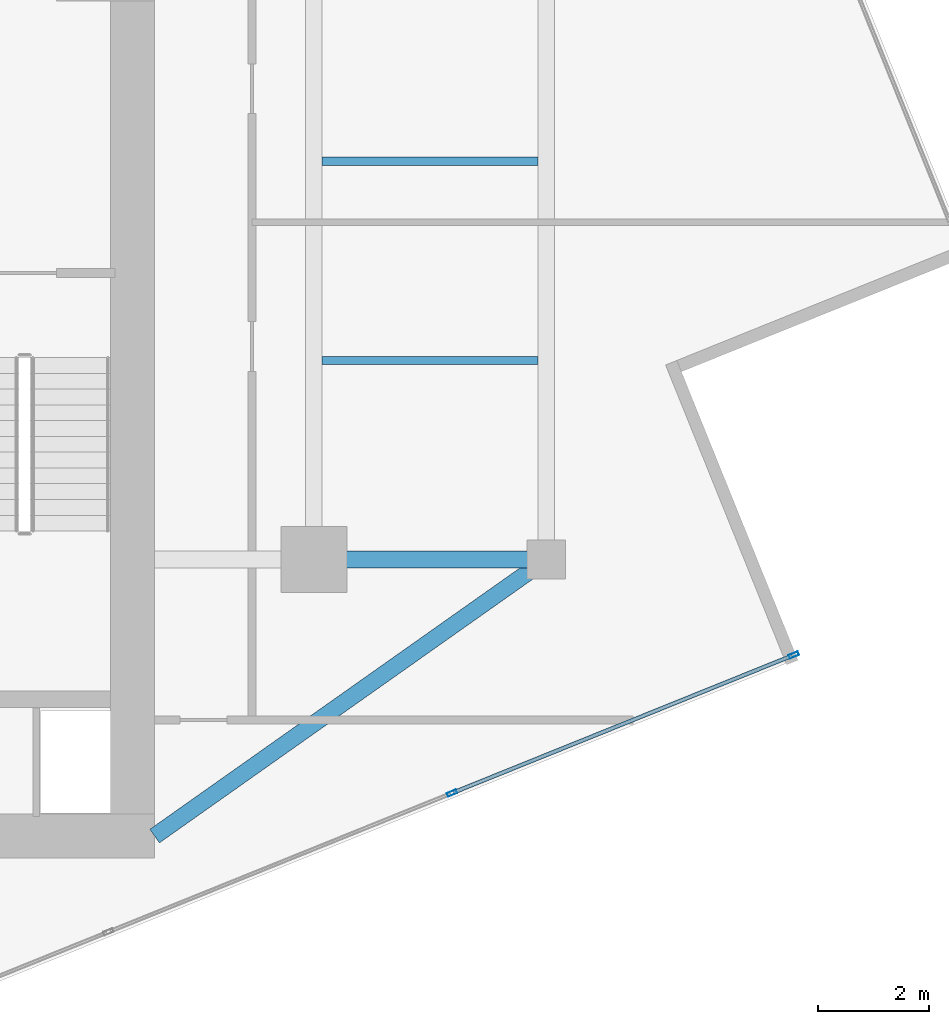
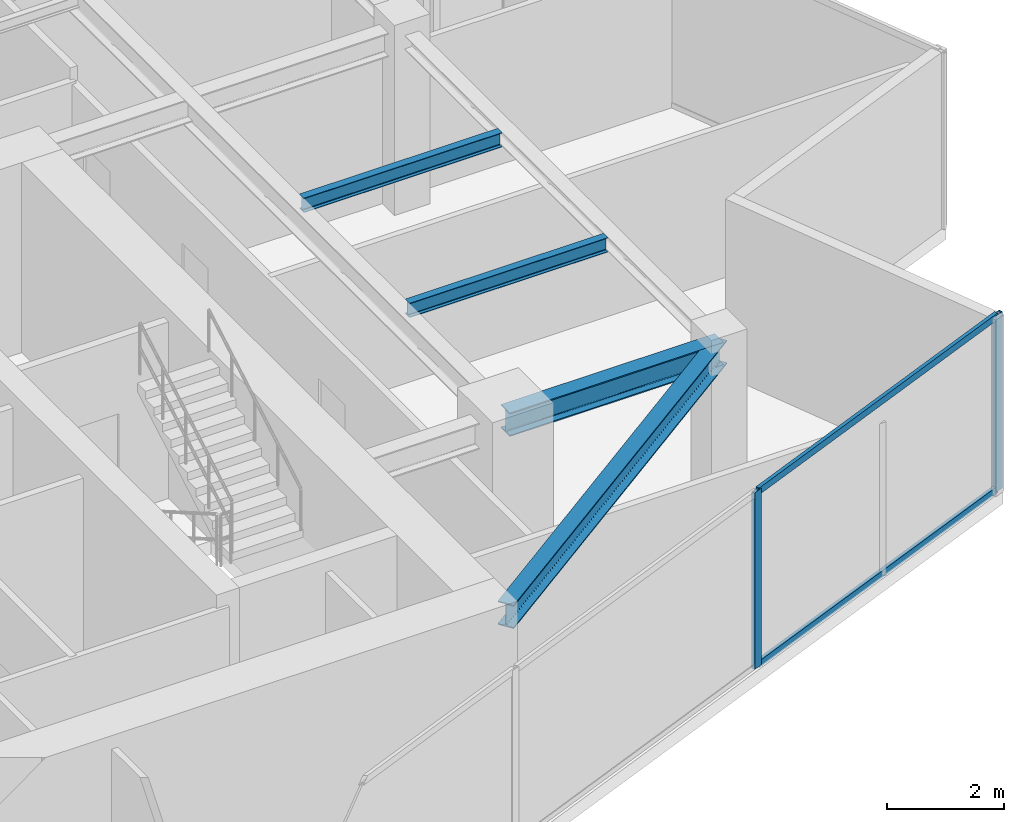
# One storey, part 9 of 21: 4 beams, 4 members, 1 element without a shape of its own.
"""IFC4 building model written with IfcOpenShell, lengths in metres."""

import ifcopenshell
import ifcopenshell.guid

model = None  # the IFC model being written
_history = None  # IfcOwnerHistory: only IFC2X3 demands one
_inside = {}  # id of a spatial element -> (the spatial element, [elements in it])
_under = {}  # id of a project, library or spatial element -> (it, [spatial elements below it])
_declared = {}  # id of a project -> (the project, [libraries it declares])
_typed = {}  # id of a type object -> (the type object, [elements of that type])
_made_of = {}  # id of a material, layer set ... -> (it, [elements and type objects made of it])


def new_model(schema):
    """Start an empty IFC model of exactly this schema.

    Asked for "IFC4X3", IfcOpenShell would pick the latest addendum, in which some entities
    have other attributes; the version numbers below select the first issue.
    IFC2X3 requires an IfcOwnerHistory on every rooted entity: one is made here for all.
    """
    global model, _history
    if schema == "IFC4X3":
        model = ifcopenshell.file(schema_version=(4, 3, 0, 0))
    else:
        model = ifcopenshell.file(schema=schema)
    _inside.clear()
    _under.clear()
    _declared.clear()
    _typed.clear()
    _made_of.clear()
    _history = None
    if model.schema == "IFC2X3":
        org = make("IfcOrganization", Name="unknown")
        user = make(
            "IfcPersonAndOrganization",
            ThePerson=make("IfcPerson", FamilyName="unknown"),
            TheOrganization=org,
        )
        app = make(
            "IfcApplication",
            ApplicationDeveloper=org,
            Version="unknown",
            ApplicationFullName="unknown",
            ApplicationIdentifier="unknown",
        )
        _history = make(
            "IfcOwnerHistory",
            OwningUser=user,
            OwningApplication=app,
            ChangeAction="ADDED",
            CreationDate=0,
        )
    return model


def make(cls, **values):
    """One entity of the class cls with the attributes given. An attribute that is None is left unset."""
    return model.create_entity(
        cls, **{name: value for name, value in values.items() if value is not None}
    )


def rooted(cls, **values):
    """An entity with a GlobalId (a new one), such as an element, a storey or a relation."""
    return make(cls, GlobalId=ifcopenshell.guid.new(), OwnerHistory=_history, **values)


def si_unit(unit_type, name, prefix=None):
    """IfcSIUnit, for example si_unit("LENGTHUNIT", "METRE", prefix="MILLI")."""
    return make("IfcSIUnit", UnitType=unit_type, Prefix=prefix, Name=name)


def assignment(units):
    """IfcUnitAssignment: the units of a project."""
    return None if units is None else make("IfcUnitAssignment", Units=units)


def point(xyz):
    """IfcCartesianPoint."""
    return None if xyz is None else make("IfcCartesianPoint", Coordinates=xyz)


def direction(xyz):
    """IfcDirection."""
    return None if xyz is None else make("IfcDirection", DirectionRatios=xyz)


def frame(location, z_axis=None, x_axis=None):
    """IfcAxis2Placement3D, a coordinate frame: its origin and axes. An axis left out is left unset."""
    return make(
        "IfcAxis2Placement3D",
        Location=point(location),
        Axis=direction(z_axis),
        RefDirection=direction(x_axis),
    )


def frame_2d(location, x_axis=None):
    """IfcAxis2Placement2D, a coordinate frame in the plane: its origin and x axis."""
    return make(
        "IfcAxis2Placement2D", Location=point(location), RefDirection=direction(x_axis)
    )


def origin():
    """The frame at (0, 0, 0) with its axes left unset."""
    return frame((0.0, 0.0, 0.0))


def origin_2d():
    """The frame at (0, 0) in the plane with its x axis left unset."""
    return frame_2d((0.0, 0.0))


def place(relative_to, where):
    """IfcLocalPlacement: puts the frame where relative to a parent placement (None: the world)."""
    return make(
        "IfcLocalPlacement", PlacementRelTo=relative_to, RelativePlacement=where
    )


def context(
    kind, dimensions, precision=None, world=None, true_north=None, identifier=None
):
    """IfcGeometricRepresentationContext, for example the 3D "Model" context."""
    return make(
        "IfcGeometricRepresentationContext",
        ContextIdentifier=identifier,
        ContextType=kind,
        CoordinateSpaceDimension=dimensions,
        Precision=precision,
        WorldCoordinateSystem=world,
        TrueNorth=true_north,
    )


def subcontext(parent, identifier, kind, view, scale=None):
    """IfcGeometricRepresentationSubContext, for example "Body" below "Model"."""
    return make(
        "IfcGeometricRepresentationSubContext",
        ContextIdentifier=identifier,
        ContextType=kind,
        ParentContext=parent,
        TargetScale=scale,
        TargetView=view,
    )


def project(units=None, contexts=None):
    """IfcProject with its units and contexts."""
    return rooted(
        "IfcProject",
        Name="project",
        RepresentationContexts=contexts,
        UnitsInContext=assignment(units),
    )


def spatial(cls, under=None, at=None, **own):
    """A site, building, storey or space (cls), placed at a placement, below another one or the project."""
    s = rooted(cls, ObjectPlacement=at, **own)
    if under is not None:
        _under.setdefault(under.id(), (under, []))[1].append(s)
    return s


def profile(cls, at=None, kind="AREA", **sizes):
    """A parametric profile (cls). Its sizes go by their IFC names, for example OverallWidth=200.0."""
    return make(cls, ProfileType=kind, Position=at, **sizes)


def hollow_rectangle(**sizes):
    """IfcRectangleHollowProfileDef."""
    return profile("IfcRectangleHollowProfileDef", **sizes)


def i_section(**sizes):
    """IfcIShapeProfileDef."""
    return profile("IfcIShapeProfileDef", **sizes)


def extrude(swept, where, along, depth):
    """IfcExtrudedAreaSolid: the profile swept, set in the frame where, extruded along a direction by depth."""
    return make(
        "IfcExtrudedAreaSolid",
        SweptArea=swept,
        Position=where,
        ExtrudedDirection=direction(along),
        Depth=depth,
    )


def shape(context_of_items, identifier, shape_type, items):
    """IfcShapeRepresentation: the items that make up one representation, for example the "Body"."""
    return make(
        "IfcShapeRepresentation",
        ContextOfItems=context_of_items,
        RepresentationIdentifier=identifier,
        RepresentationType=shape_type,
        Items=items,
    )


def source(mapping_origin, context_of_items, identifier, shape_type, items):
    """IfcRepresentationMap: a shape defined once, which mapped items show again and again."""
    return make(
        "IfcRepresentationMap",
        MappingOrigin=mapping_origin,
        MappedRepresentation=shape(context_of_items, identifier, shape_type, items),
    )


def transform(
    local_origin,
    x_axis=None,
    y_axis=None,
    z_axis=None,
    scale=None,
    scale2=None,
    scale3=None,
    uniform=True,
):
    """IfcCartesianTransformationOperator3D, or its non-uniform kind. x_axis, y_axis, z_axis: its Axis1, 2, 3."""
    if uniform:
        return make(
            "IfcCartesianTransformationOperator3D",
            Axis1=direction(x_axis),
            Axis2=direction(y_axis),
            LocalOrigin=point(local_origin),
            Scale=scale,
            Axis3=direction(z_axis),
        )
    return make(
        "IfcCartesianTransformationOperator3DnonUniform",
        Axis1=direction(x_axis),
        Axis2=direction(y_axis),
        LocalOrigin=point(local_origin),
        Scale=scale,
        Axis3=direction(z_axis),
        Scale2=scale2,
        Scale3=scale3,
    )


def mapped(mapping_source, mapping_target):
    """IfcMappedItem: shows the shape of a source again, moved by a transform."""
    return make(
        "IfcMappedItem", MappingSource=mapping_source, MappingTarget=mapping_target
    )


def material(Name=None, Category=None):
    """IfcMaterial."""
    return make("IfcMaterial", Name=Name, Category=Category)


def material_profile(
    of_material, cross_section, Name=None, Category=None, Priority=None
):
    """IfcMaterialProfile: a cross section and its material."""
    return make(
        "IfcMaterialProfile",
        Name=Name,
        Material=of_material,
        Profile=cross_section,
        Priority=Priority,
        Category=Category,
    )


def profile_set(profiles, Name=None, composite=None):
    """IfcMaterialProfileSet."""
    return make(
        "IfcMaterialProfileSet",
        Name=Name,
        MaterialProfiles=profiles,
        CompositeProfile=composite,
    )


def made_of(thing, what):
    """Note that an element or type object is made of a material, layer set ...; save() writes the relation."""
    if what is not None:
        _made_of.setdefault(what.id(), (what, []))[1].append(thing)
    return thing


def type_object(cls, material=None, **own):
    """A type object (cls), such as IfcWallType, which elements share."""
    return made_of(rooted(cls, **own), material)


def type_shapes(of_type, sources):
    """Give a type object the sources (RepresentationMaps) that its elements show as mapped items."""
    of_type.RepresentationMaps = sources


def element(
    cls,
    number,
    at=None,
    inside=None,
    cuts=None,
    type_object=None,
    material=None,
    context=None,
    identifier="Body",
    shape_type=None,
    held_by="IfcProductDefinitionShape",
    body=None,
    shapes=None,
    **own,
):
    """One element of the class cls, such as IfcWall. Its Tag is "e" and its number.

    at: its placement. inside: the storey or other place that contains it. cuts: it is an
    opening in that element (IfcRelVoidsElement). A single representation is given by context,
    identifier, shape_type and body (its items); several are given by shapes. held_by: the class
    of the entity that holds the representations. save() writes the other relations.
    """
    e = rooted(cls, Tag="e%d" % number, ObjectPlacement=at, **own)
    if body is not None:
        shapes = [shape(context, identifier, shape_type, body)]
    if shapes is not None:
        e.Representation = make(held_by, Representations=shapes)
    if inside is not None:
        _inside.setdefault(inside.id(), (inside, []))[1].append(e)
    if cuts is not None:
        rooted(
            "IfcRelVoidsElement", RelatingBuildingElement=cuts, RelatedOpeningElement=e
        )
    if type_object is not None:
        _typed.setdefault(type_object.id(), (type_object, []))[1].append(e)
    return made_of(e, material)


def aggregate(whole, parts):
    """IfcRelAggregates: a whole, such as a stair, and the parts it consists of."""
    return rooted("IfcRelAggregates", RelatingObject=whole, RelatedObjects=parts)


def save(model, path):
    """Write the relations noted so far, then the file.

    IfcRelAggregates (storeys below a building ...), IfcRelContainedInSpatialStructure (elements
    in a storey), IfcRelDefinesByType, IfcRelAssociatesMaterial and IfcRelDeclares: one each for
    every whole, place, type object, material and project.
    """
    for whole, parts in _under.values():
        aggregate(whole, parts)
    for where, things in _inside.values():
        rooted(
            "IfcRelContainedInSpatialStructure",
            RelatedElements=things,
            RelatingStructure=where,
        )
    for kind, things in _typed.values():
        rooted("IfcRelDefinesByType", RelatedObjects=things, RelatingType=kind)
    for what, things in _made_of.values():
        rooted("IfcRelAssociatesMaterial", RelatedObjects=things, RelatingMaterial=what)
    for by, libraries in _declared.values():
        rooted("IfcRelDeclares", RelatingContext=by, RelatedDefinitions=libraries)
    model.write(path)


model = new_model("IFC4")

# Units and contexts
model_context = context("Model", 3, precision=1e-05, world=origin(), true_north=direction((0.0, 1.0)))
body_context = subcontext(model_context, "Body", "Model", "MODEL_VIEW")
ifc_project = project(units=[si_unit("LENGTHUNIT", "METRE"), si_unit("AREAUNIT", "SQUARE_METRE"), si_unit("VOLUMEUNIT", "CUBIC_METRE"), si_unit("PLANEANGLEUNIT", "RADIAN"), si_unit("MASSUNIT", "GRAM", prefix="KILO")], contexts=[model_context])

# Site, building, storey
site_placement = place(None, origin())
site = spatial("IfcSite", under=ifc_project, at=site_placement, CompositionType="ELEMENT")
building_placement = place(site_placement, origin())
building = spatial("IfcBuilding", under=site, at=building_placement, Name="Krantzveldt Concourse Tower", CompositionType="ELEMENT")
storey_placement = place(building_placement, frame((0.0, 0.0, 327.699951171875)))
storey = spatial("IfcBuildingStorey", under=building, at=storey_placement, Name="L80", CompositionType="ELEMENT", Elevation=327.699951171875)

# Beams
ifc_material_1 = material(Name="Steel S355JR", Category="steel")
ifc_material_profile_1 = material_profile(ifc_material_1, i_section(OverallWidth=0.300048828125, OverallDepth=0.489990234375, WebThickness=0.011962890625, FlangeThickness=0.02294921875, FilletRadius=0.027099609375, at=origin_2d()), Name="Steel S355JR", Category="steel")
ifc_profile_set_1 = profile_set([ifc_material_profile_1], Name="Steel S355JR - HEA 500")
beam_type_1 = type_object("IfcBeamType", Name="BM-B-HEA500", PredefinedType="BEAM", material=ifc_profile_set_1)
shared_shape_1 = source(origin(), body_context, "Body", "SweptSolid", [
    extrude(i_section(OverallWidth=0.300048828125, OverallDepth=0.489990234375, WebThickness=0.011962890625, FlangeThickness=0.02294921875, FilletRadius=0.027099609375, at=origin_2d()), origin(), (0.0, 0.0, 1.0), 4.199951171875),
])
beam_1_placement = place(storey_placement, frame((46.800048828125, 15.89990234375, 3.425048828125), z_axis=(1.0, 0.0, 0.0), x_axis=(0.0, 1.0, 0.0)))
element("IfcBeam", 1, at=beam_1_placement, inside=storey, type_object=beam_type_1, Name="L80 Tower Girder BR-RR1", PredefinedType="BEAM", context=body_context, shape_type="MappedRepresentation", body=[
    mapped(shared_shape_1, transform((0.0, 0.0, 0.0), x_axis=(1.0, 0.0, 0.0), y_axis=(0.0, 1.0, 0.0), z_axis=(0.0, 0.0, 1.0), scale=1.0)),
])
shared_shape_2 = source(origin(), body_context, "Body", "SweptSolid", [
    extrude(i_section(OverallWidth=0.300048828125, OverallDepth=0.489990234375, WebThickness=0.011962890625, FlangeThickness=0.02294921875, FilletRadius=0.027099609375, at=origin_2d()), origin(), (0.0, 0.0, 1.0), 8.667724609375),
])
type_shapes(beam_type_1, [shared_shape_1, shared_shape_2])
beam_2_placement = place(storey_placement, frame((51.0, 15.89990234375, 3.425048828125), z_axis=(-0.81684294656, -0.576860122261, 0.0), x_axis=(0.576860122261, -0.81684294656, 0.0)))
element("IfcBeam", 2, at=beam_2_placement, inside=storey, type_object=beam_type_1, Name="L80 Tower Girder BR-CSE", PredefinedType="BEAM", context=body_context, shape_type="MappedRepresentation", body=[
    mapped(shared_shape_2, transform((0.0, 0.0, 0.0), x_axis=(1.0, 0.0, 0.0), y_axis=(0.0, 1.0, 0.0), z_axis=(0.0, 0.0, 1.0), scale=1.0)),
])
ifc_material_profile_2 = material_profile(ifc_material_1, i_section(OverallWidth=0.14990234375, OverallDepth=0.300048828125, WebThickness=0.007080078125, FlangeThickness=0.0107421875, FilletRadius=0.014892578125, at=origin_2d()), Name="Steel S355JR", Category="steel")
ifc_profile_set_2 = profile_set([ifc_material_profile_2], Name="Steel S355JR - IPE 300")
beam_type_2 = type_object("IfcBeamType", Name="BM-J-IPE300", PredefinedType="JOIST", material=ifc_profile_set_2)
shared_shape_3 = source(origin(), body_context, "Body", "SweptSolid", [
    extrude(i_section(OverallWidth=0.14990234375, OverallDepth=0.300048828125, WebThickness=0.007080078125, FlangeThickness=0.0107421875, FilletRadius=0.014892578125, at=origin_2d()), origin(), (0.0, 0.0, 1.0), 3.900146484375),
])
type_shapes(beam_type_2, [shared_shape_3])
for number, where, z_axis, x_axis, name in (
    (3, (46.949951171875, 19.5, 3.52001953125), (1.0, 0.0, 0.0), (0.0, 1.0, 0.0), "L80 Secondary Floor Joist JE-1"),
    (4, (46.949951171875, 23.10009765625, 3.52001953125), (1.0, 0.0, 0.0), (0.0, 1.0, 0.0), "L80 Secondary Floor Joist JE-2"),
):
    element("IfcBeam", number, at=place(storey_placement, frame(where, z_axis=z_axis, x_axis=x_axis)), inside=storey, type_object=beam_type_2, Name=name, PredefinedType="JOIST", context=body_context, shape_type="MappedRepresentation", body=[
        mapped(shared_shape_3, transform((0.0, 0.0, 0.0), x_axis=(1.0, 0.0, 0.0), y_axis=(0.0, 1.0, 0.0), z_axis=(0.0, 0.0, 1.0), scale=1.0)),
    ])

# Curtain wall, members
ifc_material_2 = material(Name="Anodised aluminium 6063-T6", Category="aluminium")
curtain_wall_type = type_object("IfcCurtainWallType", Name="CW4", PredefinedType="USERDEFINED", material=ifc_material_2)
curtain_wall_placement = place(storey_placement, origin())
curtain_wall = element("IfcCurtainWall", 5, at=curtain_wall_placement, inside=storey, type_object=curtain_wall_type, Name="CW-L80-F07", ObjectType="UNITISED CURTAIN WALL", PredefinedType="USERDEFINED")
ifc_material_profile_3 = material_profile(ifc_material_2, hollow_rectangle(XDim=0.070068359375, YDim=0.179931640625, WallThickness=0.0048828125, at=origin_2d()), Name="Anodised aluminium 6063-T6", Category="aluminium")
ifc_profile_set_3 = profile_set([ifc_material_profile_3], Name="Anodised aluminium 6063-T6 - ALU-MULL 180x70x5")
member_type_1 = type_object("IfcMemberType", Name="CW-MUL-180", PredefinedType="MULLION", material=ifc_profile_set_3)
shared_shape_4 = source(origin(), body_context, "Body", "SweptSolid", [
    extrude(hollow_rectangle(XDim=0.070068359375, YDim=0.179931640625, WallThickness=0.0048828125, at=origin_2d()), origin(), (0.0, 0.0, 1.0), 3.670166015625),
])
type_shapes(member_type_1, [shared_shape_4])
member_1_placement = place(storey_placement, frame((49.2958984375, 11.6767578125, 0.0), z_axis=(0.0, 0.0, 1.0), x_axis=(-0.374606664198, 0.927183825969, 0.0)))
member_1 = element("IfcMember", 6, at=member_1_placement, type_object=member_type_1, Name="CW-Z56 mullion 4", PredefinedType="MULLION", context=body_context, shape_type="MappedRepresentation", body=[
    mapped(shared_shape_4, transform((0.0, 0.0, 0.0), x_axis=(1.0, 0.0, 0.0), y_axis=(0.0, 1.0, 0.0), z_axis=(0.0, 0.0, 1.0), scale=1.0)),
])
member_2_placement = place(storey_placement, frame((55.4755859375, 14.173583984375, 0.0), z_axis=(0.0, 0.0, 1.0), x_axis=(-0.374606664198, 0.927183825969, 0.0)))
member_2 = element("IfcMember", 7, at=member_2_placement, type_object=member_type_1, Name="CW-Z56 mullion 5", PredefinedType="MULLION", context=body_context, shape_type="MappedRepresentation", body=[
    mapped(shared_shape_4, transform((0.0, 0.0, 0.0), x_axis=(1.0, 0.0, 0.0), y_axis=(0.0, 1.0, 0.0), z_axis=(0.0, 0.0, 1.0), scale=1.0)),
])
ifc_material_profile_4 = material_profile(ifc_material_2, hollow_rectangle(XDim=0.070068359375, YDim=0.139892578125, WallThickness=0.0048828125, at=origin_2d()), Name="Anodised aluminium 6063-T6", Category="aluminium")
ifc_profile_set_4 = profile_set([ifc_material_profile_4], Name="Anodised aluminium 6063-T6 - ALU-TRAN 140x70x5")
member_type_2 = type_object("IfcMemberType", Name="CW-TRN-150", PredefinedType="USERDEFINED", material=ifc_profile_set_4)
shared_shape_5 = source(origin(), body_context, "Body", "SweptSolid", [
    extrude(hollow_rectangle(XDim=0.070068359375, YDim=0.139892578125, WallThickness=0.0048828125, at=origin_2d()), origin(), (0.0, 0.0, 1.0), 6.594970703125),
])
type_shapes(member_type_2, [shared_shape_5])
member_3_placement = place(storey_placement, frame((49.328369140625, 11.68994140625, 0.03515625), z_axis=(0.927186951391, 0.374598928417, 0.0), x_axis=(-0.374598928417, 0.927186951391, 0.0)))
member_3 = element("IfcMember", 8, at=member_3_placement, type_object=member_type_2, Name="CW-Z56 transom 4.1", ObjectType="TRANSOM", PredefinedType="USERDEFINED", context=body_context, shape_type="MappedRepresentation", body=[
    mapped(shared_shape_5, transform((0.0, 0.0, 0.0), x_axis=(1.0, 0.0, 0.0), y_axis=(0.0, 1.0, 0.0), z_axis=(0.0, 0.0, 1.0), scale=1.0)),
])
member_4_placement = place(storey_placement, frame((49.328369140625, 11.68994140625, 3.635009765625), z_axis=(0.927186951391, 0.374598928417, 0.0), x_axis=(-0.374598928417, 0.927186951391, 0.0)))
member_4 = element("IfcMember", 9, at=member_4_placement, type_object=member_type_2, Name="CW-Z56 transom 4.2", ObjectType="TRANSOM", PredefinedType="USERDEFINED", context=body_context, shape_type="MappedRepresentation", body=[
    mapped(shared_shape_5, transform((0.0, 0.0, 0.0), x_axis=(1.0, 0.0, 0.0), y_axis=(0.0, 1.0, 0.0), z_axis=(0.0, 0.0, 1.0), scale=1.0)),
])
aggregate(curtain_wall, [member_1, member_2, member_3, member_4])

save(model, "model.ifc")
